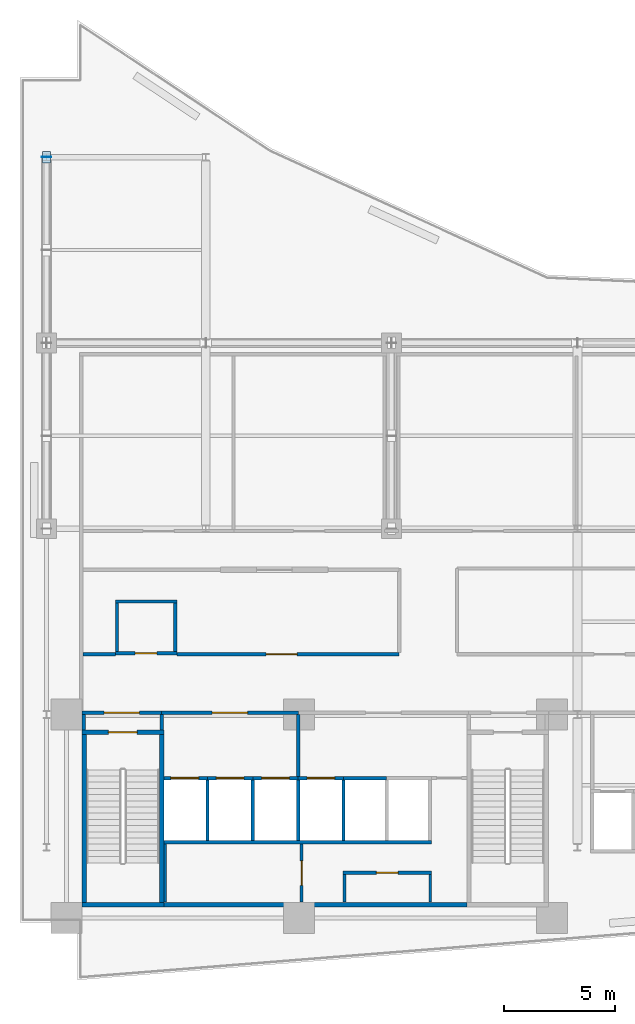
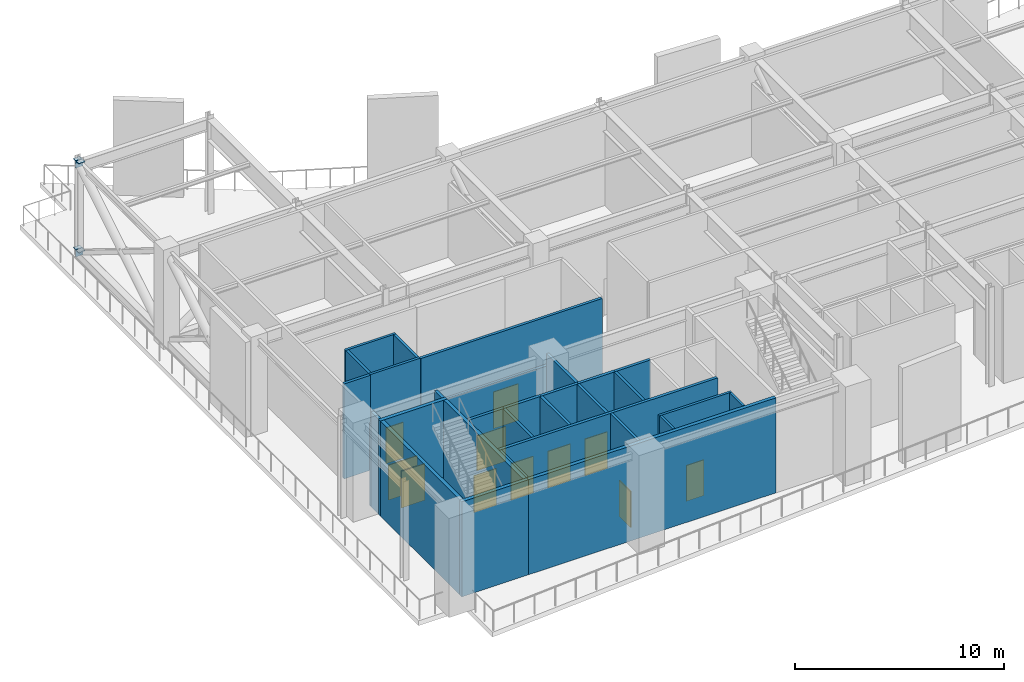
# One storey, part 6 of 14: 31 walls, 11 doors, 4 plates, 11 openings.
"""IFC4 building model written with IfcOpenShell, lengths in metres."""

from ifc_helpers import new_model, si_unit, direction, frame, frame_2d, origin, origin_2d, place, context, subcontext, project, spatial, rectangle, extrude, material, layer, layer_set, type_object, element, fill, save


model = new_model("IFC4")

# Units and contexts
model_context = context("Model", 3, precision=1e-05, world=origin(), true_north=direction((0.0, 1.0)))
body_context = subcontext(model_context, "Body", "Model", "MODEL_VIEW")
ifc_project = project(units=[si_unit("LENGTHUNIT", "METRE"), si_unit("AREAUNIT", "SQUARE_METRE"), si_unit("VOLUMEUNIT", "CUBIC_METRE"), si_unit("PLANEANGLEUNIT", "RADIAN"), si_unit("MASSUNIT", "GRAM", prefix="KILO")], contexts=[model_context])

# Site, building, storey
site_placement = place(None, origin())
site = spatial("IfcSite", under=ifc_project, at=site_placement, CompositionType="ELEMENT")
building_placement = place(site_placement, origin())
building = spatial("IfcBuilding", under=site, at=building_placement, Name="Varnakote Quay Hospital", CompositionType="ELEMENT")
storey_placement = place(building_placement, frame((0.0, 0.0, 97.550048828125)))
storey = spatial("IfcBuildingStorey", under=building, at=storey_placement, Name="L24", CompositionType="ELEMENT", Elevation=97.550048828125)

# Plates
ifc_material_1 = material(Name="Structural steel AS/NZS 3678 Grade 350 (fy 340 MPa)", Category="steel")
ifc_layer_1 = layer(ifc_material_1, 0.02001953125)
ifc_layer_set_1 = layer_set([ifc_layer_1], Name="Structural steel AS/NZS 3678 Grade 350 (fy 340 MPa)")
plate_type_1 = type_object("IfcPlateType", Name="PLT-ENDCAP-420x420x20", PredefinedType="USERDEFINED", material=ifc_layer_set_1)
for number, where, z_axis, x_axis, name in (
    (1, (1.199951171875, 37.199951171875, -0.030029296875), (0.0, 0.0, 1.0), (0.0, 1.0, 0.0), "L24 Hollow Section Sealed End Cap Plate"),
    (2, (1.199951171875, 37.199951171875, 5.169921875), (0.0, 0.0, 1.0), (0.0, 1.0, 0.0), "L24 Hollow Section Sealed End Cap Plate"),
):
    element("IfcPlate", number, at=place(storey_placement, frame(where, z_axis=z_axis, x_axis=x_axis)), inside=storey, type_object=plate_type_1, Name=name, ObjectType="END_CAP_PLATE", PredefinedType="USERDEFINED", context=body_context, shape_type="SweptSolid", body=[
        extrude(rectangle(XDim=0.02001953125, YDim=0.419921875, at=origin_2d()), origin(), (0.0, 0.0, 1.0), 0.419921875),
    ])
ifc_material_2 = material(Name="Structural steel AS/NZS 3678 Grade 350 (fy 340 MPa)", Category="steel")
ifc_layer_2 = layer(ifc_material_2, 0.031982421875)
ifc_layer_set_2 = layer_set([ifc_layer_2], Name="Structural steel AS/NZS 3678 Grade 350 (fy 340 MPa)")
plate_type_2 = type_object("IfcPlateType", Name="PLT-GUSSET-520x360x32", PredefinedType="USERDEFINED", material=ifc_layer_set_2)
for number, where, z_axis, x_axis, name in (
    (3, (1.199951171875, 37.199951171875, 0.34375), (0.0, 0.0, 1.0), (0.0, 1.0, 0.0), "L24 Truss Concentric Node Gusset Plate"),
    (4, (1.199951171875, 37.199951171875, 5.5439453125), (0.0, 0.0, 1.0), (0.0, 1.0, 0.0), "L24 Truss Concentric Node Gusset Plate"),
):
    element("IfcPlate", number, at=place(storey_placement, frame(where, z_axis=z_axis, x_axis=x_axis)), inside=storey, type_object=plate_type_2, Name=name, ObjectType="GUSSET_PLATE", PredefinedType="USERDEFINED", context=body_context, shape_type="SweptSolid", body=[
        extrude(rectangle(XDim=0.52001953125, YDim=0.360107421875, at=origin_2d()), origin(), (0.0, 0.0, 1.0), 0.031982421875),
    ])

# Wall
ifc_material_3 = material(Name="Fire-rated acoustic gypsum stud wall", Category="gypsum")
ifc_layer_3 = layer(ifc_material_3, 0.14990234375)
ifc_layer_set_3 = layer_set([ifc_layer_3], Name="Fire-rated acoustic gypsum stud wall")
wall_type_1 = type_object("IfcWallType", Name="WL-COMP-150", PredefinedType="PARTITIONING", material=ifc_layer_set_3)
wall_1_placement = place(storey_placement, frame((2.85009765625, 14.72998046875, 0.0), z_axis=(0.0, 0.0, 1.0), x_axis=(1.0, 0.0, 0.0)))
element("IfcWall", 5, at=wall_1_placement, inside=storey, type_object=wall_type_1, Name="L24 West Refuge Pocket Wall", PredefinedType="PARTITIONING", context=body_context, shape_type="SweptSolid", body=[
    extrude(rectangle(XDim=1.4580078125, YDim=0.14990234375, at=frame_2d((0.72900390625, 0.0))), origin(), (0.0, 0.0, 1.0), 5.56005859375),
])

# Wall, opening, door
wall_2_placement = place(storey_placement, frame((7.092041015625, 14.72998046875, 0.0), z_axis=(0.0, 0.0, 1.0), x_axis=(1.0, 0.0, 0.0)))
wall_2 = element("IfcWall", 6, at=wall_2_placement, inside=storey, type_object=wall_type_1, Name="L24 West Refuge Corridor Wall", PredefinedType="PARTITIONING", context=body_context, shape_type="SweptSolid", body=[
    extrude(rectangle(XDim=10.0478515625, YDim=0.14990234375, at=frame_2d((5.02392578125, 0.0))), origin(), (0.0, 0.0, 1.0), 5.56005859375),
])
opening_1_placement = place(wall_2_placement, frame((4.0380859375, 0.0, 0.0)))
opening_1 = element("IfcOpeningElement", 7, at=opening_1_placement, cuts=wall_2, Name="Opening D-REF1-L24", PredefinedType="OPENING", context=body_context, shape_type="SweptSolid", body=[
    extrude(rectangle(XDim=1.39990234375, YDim=2.14990234375, at=frame_2d((0.699951171875, 1.074951171875))), frame((0.0, 0.0849609375, 0.0), z_axis=(0.0, -1.0, 0.0), x_axis=(1.0, 0.0, 0.0)), (0.0, 0.0, 1.0), 0.169921875),
])
ifc_material_4 = material(Name="Fire-rated acoustic plant room door")
door_type_1 = type_object("IfcDoorType", Name="DR-PLANT-FD60-1400x2150", OperationType="NOTDEFINED", PredefinedType="DOOR", material=ifc_material_4)
door_1_placement = place(opening_1_placement, origin())
door_1 = element("IfcDoor", 8, at=door_1_placement, inside=storey, type_object=door_type_1, Name="L24 Fire Refuge Holding Area West Door", OperationType="SINGLE_SWING_LEFT", OverallHeight=2.14990234375, OverallWidth=1.39990234375, PredefinedType="DOOR", context=body_context, shape_type="SweptSolid", body=[
    extrude(rectangle(XDim=1.39990234375, YDim=2.14990234375, at=frame_2d((0.699951171875, 1.074951171875))), frame((0.0, 0.02490234375, 0.0), z_axis=(0.0, -1.0, 0.0), x_axis=(1.0, 0.0, 0.0)), (0.0, 0.0, 1.0), 0.050048828125),
])
fill(opening_1, door_1)

# Wall
ifc_material_5 = material(Name="Fire-rated acoustic gypsum stud wall", Category="gypsum")
ifc_layer_4 = layer(ifc_material_5, 0.159912109375)
ifc_layer_set_4 = layer_set([ifc_layer_4], Name="Fire-rated acoustic gypsum stud wall")
wall_type_2 = type_object("IfcWallType", Name="WL-COMP-160", PredefinedType="PARTITIONING", material=ifc_layer_set_4)
wall_3_placement = place(storey_placement, frame((2.8798828125, 11.300048828125, 0.0), z_axis=(0.0, 0.0, 1.0), x_axis=(0.0, 1.0, 0.0)))
element("IfcWall", 9, at=wall_3_placement, inside=storey, type_object=wall_type_2, Name="L24 West Stair Vestibule West Wall", PredefinedType="PARTITIONING", context=body_context, shape_type="SweptSolid", body=[
    extrude(rectangle(XDim=0.699951171875, YDim=0.159912109375, at=frame_2d((0.35009765625, 0.0))), origin(), (0.0, 0.0, 1.0), 5.56005859375),
])

# Wall, opening, door
wall_4_placement = place(storey_placement, frame((2.800048828125, 12.080078125, 0.0), z_axis=(0.0, 0.0, 1.0), x_axis=(1.0, 0.0, 0.0)))
wall_4 = element("IfcWall", 10, at=wall_4_placement, inside=storey, type_object=wall_type_2, Name="L24 West Stair Vestibule Smoke Wall", PredefinedType="PARTITIONING", context=body_context, shape_type="SweptSolid", body=[
    extrude(rectangle(XDim=3.599853515625, YDim=0.159912109375, at=frame_2d((1.7998046875, 0.0))), origin(), (0.0, 0.0, 1.0), 4.8349609375),
])
opening_2_placement = place(wall_4_placement, frame((1.0, 0.0, 0.0)))
opening_2 = element("IfcOpeningElement", 11, at=opening_2_placement, cuts=wall_4, Name="Opening D-ST1L-L24", PredefinedType="OPENING", context=body_context, shape_type="SweptSolid", body=[
    extrude(rectangle(XDim=1.60009765625, YDim=2.050048828125, at=frame_2d((0.800048828125, 1.02490234375))), frame((0.0, 0.08984375, 0.0), z_axis=(0.0, -1.0, 0.0), x_axis=(1.0, 0.0, 0.0)), (0.0, 0.0, 1.0), 0.179931640625),
])
ifc_material_6 = material(Name="Fire-rated double smoke lobby door")
door_type_2 = type_object("IfcDoorType", Name="DR-LOBBY-FD60S-1600x2150", OperationType="NOTDEFINED", PredefinedType="DOOR", material=ifc_material_6)
door_2_placement = place(opening_2_placement, origin())
door_2 = element("IfcDoor", 12, at=door_2_placement, inside=storey, type_object=door_type_2, Name="L24 West Stair Vestibule Smoke Door", OperationType="DOUBLE_DOOR_SINGLE_SWING", OverallHeight=2.050048828125, OverallWidth=1.60009765625, PredefinedType="DOOR", context=body_context, shape_type="SweptSolid", body=[
    extrude(rectangle(XDim=1.60009765625, YDim=2.050048828125, at=frame_2d((0.800048828125, 1.02490234375))), frame((0.0, 0.02490234375, 0.0), z_axis=(0.0, -1.0, 0.0), x_axis=(1.0, 0.0, 0.0)), (0.0, 0.0, 1.0), 0.050048828125),
])
fill(opening_2, door_2)

# Wall
wall_5_placement = place(storey_placement, frame((6.39990234375, 11.300048828125, 0.0), z_axis=(0.0, 0.0, 1.0), x_axis=(0.0, 1.0, 0.0)))
element("IfcWall", 13, at=wall_5_placement, inside=storey, type_object=wall_type_2, Name="L24 Firefighting Lobby West Wall", PredefinedType="PARTITIONING", context=body_context, shape_type="SweptSolid", body=[
    extrude(rectangle(XDim=0.699951171875, YDim=0.159912109375, at=frame_2d((0.35009765625, 0.0))), origin(), (0.0, 0.0, 1.0), 5.56005859375),
])

# Wall, opening, door
wall_6_placement = place(storey_placement, frame((6.39990234375, 12.080078125, 0.0), z_axis=(0.0, 0.0, 1.0), x_axis=(1.0, 0.0, 0.0)))
wall_6 = element("IfcWall", 14, at=wall_6_placement, inside=storey, type_object=wall_type_2, Name="L24 Firefighting Lift Lobby Compartment Wall", PredefinedType="PARTITIONING", context=body_context, shape_type="SweptSolid", body=[
    extrude(rectangle(XDim=6.18017578125, YDim=0.159912109375, at=frame_2d((3.090087890625, 0.0))), origin(), (0.0, 0.0, 1.0), 4.8349609375),
])
opening_3_placement = place(wall_6_placement, frame((2.2900390625, 0.0, 0.0)))
opening_3 = element("IfcOpeningElement", 15, at=opening_3_placement, cuts=wall_6, Name="Opening D-FFL-L24", PredefinedType="OPENING", context=body_context, shape_type="SweptSolid", body=[
    extrude(rectangle(XDim=1.60009765625, YDim=2.050048828125, at=frame_2d((0.800048828125, 1.02490234375))), frame((0.0, 0.08984375, 0.0), z_axis=(0.0, -1.0, 0.0), x_axis=(1.0, 0.0, 0.0)), (0.0, 0.0, 1.0), 0.179931640625),
])
door_3_placement = place(opening_3_placement, origin())
door_3 = element("IfcDoor", 16, at=door_3_placement, inside=storey, type_object=door_type_2, Name="L24 Firefighting Smoke Vestibule Door", OperationType="DOUBLE_DOOR_SINGLE_SWING", OverallHeight=2.050048828125, OverallWidth=1.60009765625, PredefinedType="DOOR", context=body_context, shape_type="SweptSolid", body=[
    extrude(rectangle(XDim=1.60009765625, YDim=2.050048828125, at=frame_2d((0.800048828125, 1.02490234375))), frame((0.0, 0.02490234375, 0.0), z_axis=(0.0, -1.0, 0.0), x_axis=(1.0, 0.0, 0.0)), (0.0, 0.0, 1.0), 0.050048828125),
])
fill(opening_3, door_3)

# Walls
wall_7_placement = place(storey_placement, frame((12.580078125, 9.2099609375, 0.0), z_axis=(0.0, 0.0, 1.0), x_axis=(0.0, 1.0, 0.0)))
element("IfcWall", 17, at=wall_7_placement, inside=storey, type_object=wall_type_2, Name="L24 Firefighting to Service Lobby Wall", PredefinedType="PARTITIONING", context=body_context, shape_type="SweptSolid", body=[
    extrude(rectangle(XDim=2.7900390625, YDim=0.159912109375, at=frame_2d((1.39501953125, 0.0))), origin(), (0.0, 0.0, 1.0), 5.56005859375),
])
ifc_material_7 = material(Name="Concrete N80 (f'c 80 MPa)", Category="concrete")
ifc_layer_5 = layer(ifc_material_7, 0.199951171875)
ifc_layer_set_5 = layer_set([ifc_layer_5], Name="Concrete N80 (f'c 80 MPa)")
wall_type_3 = type_object("IfcWallType", Name="WL-CORE-N80-200", PredefinedType="SHEAR", material=ifc_layer_set_5)
wall_8_placement = place(storey_placement, frame((6.5, 3.39990234375, 0.0), z_axis=(0.0, 0.0, 1.0), x_axis=(1.0, 0.0, 0.0)))
element("IfcWall", 18, at=wall_8_placement, inside=storey, type_object=wall_type_3, Name="L24 Rear Core South Shear Wall", PredefinedType="SHEAR", context=body_context, shape_type="SweptSolid", body=[
    extrude(rectangle(XDim=13.699951171875, YDim=0.199951171875, at=frame_2d((6.85009765625, 0.0))), origin(), (0.0, 0.0, 1.0), 5.56005859375),
])
ifc_material_8 = material(Name="Concrete N50 (f'c 50 MPa)", Category="concrete")
ifc_layer_6 = layer(ifc_material_8, 0.14990234375)
ifc_layer_set_6 = layer_set([ifc_layer_6], Name="Concrete N50 (f'c 50 MPa)")
wall_type_4 = type_object("IfcWallType", Name="WL-SHAFT-N50-150", PredefinedType="SHEAR", material=ifc_layer_set_6)
for number, where, z_axis, x_axis, name in (
    (19, (8.47509765625, 6.300048828125, 0.0), (0.0, 0.0, 1.0), (0.0, 1.0, 0.0), "L24 LF-FF1 Hoistway Divider Wall"),
    (20, (10.52490234375, 6.300048828125, 0.0), (0.0, 0.0, 1.0), (0.0, 1.0, 0.0), "L24 LF-FF2 Hoistway Divider Wall"),
    (21, (12.574951171875, 6.300048828125, 0.0), (0.0, 0.0, 1.0), (0.0, 1.0, 0.0), "L24 LF-SV1 Hoistway Divider Wall"),
    (22, (14.625, 6.300048828125, 0.0), (0.0, 0.0, 1.0), (0.0, 1.0, 0.0), "L24 LF-SV2 Hoistway Divider Wall"),
):
    element("IfcWall", number, at=place(storey_placement, frame(where, z_axis=z_axis, x_axis=x_axis)), inside=storey, type_object=wall_type_4, Name=name, PredefinedType="SHEAR", context=body_context, shape_type="SweptSolid", body=[
        extrude(rectangle(XDim=2.75, YDim=0.14990234375, at=frame_2d((1.375, 0.0))), origin(), (0.0, 0.0, 1.0), 5.56005859375),
    ])
ifc_material_9 = material(Name="Concrete N50 (f'c 50 MPa)", Category="concrete")
ifc_layer_7 = layer(ifc_material_9, 0.159912109375)
ifc_layer_set_7 = layer_set([ifc_layer_7], Name="Concrete N50 (f'c 50 MPa)")
wall_type_5 = type_object("IfcWallType", Name="WL-SHAFT-N50-160", PredefinedType="SHEAR", material=ifc_layer_set_7)
wall_9_placement = place(storey_placement, frame((6.5, 6.219970703125, 0.0), z_axis=(0.0, 0.0, 1.0), x_axis=(1.0, 0.0, 0.0)))
element("IfcWall", 23, at=wall_9_placement, inside=storey, type_object=wall_type_5, Name="L24 REAR Lift Bank Back Shear Wall", PredefinedType="SHEAR", context=body_context, shape_type="SweptSolid", body=[
    extrude(rectangle(XDim=12.110107421875, YDim=0.159912109375, at=frame_2d((6.05517578125, 0.0))), origin(), (0.0, 0.0, 1.0), 5.56005859375),
])

# Wall, opening, door
wall_10_placement = place(storey_placement, frame((6.5, 9.1298828125, 0.0), z_axis=(0.0, 0.0, 1.0), x_axis=(1.0, 0.0, 0.0)))
wall_10 = element("IfcWall", 24, at=wall_10_placement, inside=storey, type_object=wall_type_5, Name="L24 LF-FF1 Hoistway Front Wall", PredefinedType="SHEAR", context=body_context, shape_type="SweptSolid", body=[
    extrude(rectangle(XDim=1.97509765625, YDim=0.159912109375, at=frame_2d((0.987548828125, 0.0))), origin(), (0.0, 0.0, 1.0), 5.56005859375),
])
opening_4_placement = place(wall_10_placement, frame((0.324951171875, 0.0, 0.0)))
opening_4 = element("IfcOpeningElement", 25, at=opening_4_placement, cuts=wall_10, Name="Opening LD-FF1-L24", PredefinedType="OPENING", context=body_context, shape_type="SweptSolid", body=[
    extrude(rectangle(XDim=1.25, YDim=2.14990234375, at=frame_2d((0.625, 1.074951171875))), frame((0.0, 0.08984375, 0.0), z_axis=(0.0, -1.0, 0.0), x_axis=(1.0, 0.0, 0.0)), (0.0, 0.0, 1.0), 0.179931640625),
])
ifc_material_10 = material(Name="Stainless steel lift landing sliding door", Category="steel")
door_type_3 = type_object("IfcDoorType", Name="DR-LIFT-LD-1250x2150", OperationType="NOTDEFINED", PredefinedType="DOOR", material=ifc_material_10)
door_4_placement = place(opening_4_placement, origin())
door_4 = element("IfcDoor", 26, at=door_4_placement, inside=storey, type_object=door_type_3, Name="L24 LF-FF1 Lift Landing Sliding Door", OperationType="SLIDING_TO_LEFT", OverallHeight=2.14990234375, OverallWidth=1.25, PredefinedType="DOOR", context=body_context, shape_type="SweptSolid", body=[
    extrude(rectangle(XDim=1.25, YDim=2.14990234375, at=frame_2d((0.625, 1.074951171875))), frame((0.0, 0.02490234375, 0.0), z_axis=(0.0, -1.0, 0.0), x_axis=(1.0, 0.0, 0.0)), (0.0, 0.0, 1.0), 0.050048828125),
])
fill(opening_4, door_4)

wall_11_placement = place(storey_placement, frame((8.47509765625, 9.1298828125, 0.0), z_axis=(0.0, 0.0, 1.0), x_axis=(1.0, 0.0, 0.0)))
wall_11 = element("IfcWall", 27, at=wall_11_placement, inside=storey, type_object=wall_type_5, Name="L24 LF-FF2 Hoistway Front Wall", PredefinedType="SHEAR", context=body_context, shape_type="SweptSolid", body=[
    extrude(rectangle(XDim=2.0498046875, YDim=0.159912109375, at=frame_2d((1.02490234375, 0.0))), origin(), (0.0, 0.0, 1.0), 5.56005859375),
])
opening_5_placement = place(wall_11_placement, frame((0.39990234375, 0.0, 0.0)))
opening_5 = element("IfcOpeningElement", 28, at=opening_5_placement, cuts=wall_11, Name="Opening LD-FF2-L24", PredefinedType="OPENING", context=body_context, shape_type="SweptSolid", body=[
    extrude(rectangle(XDim=1.25, YDim=2.14990234375, at=frame_2d((0.625, 1.074951171875))), frame((0.0, 0.08984375, 0.0), z_axis=(0.0, -1.0, 0.0), x_axis=(1.0, 0.0, 0.0)), (0.0, 0.0, 1.0), 0.179931640625),
])
door_5_placement = place(opening_5_placement, origin())
door_5 = element("IfcDoor", 29, at=door_5_placement, inside=storey, type_object=door_type_3, Name="L24 LF-FF2 Lift Landing Sliding Door", OperationType="SLIDING_TO_LEFT", OverallHeight=2.14990234375, OverallWidth=1.25, PredefinedType="DOOR", context=body_context, shape_type="SweptSolid", body=[
    extrude(rectangle(XDim=1.25, YDim=2.14990234375, at=frame_2d((0.625, 1.074951171875))), frame((0.0, 0.02490234375, 0.0), z_axis=(0.0, -1.0, 0.0), x_axis=(1.0, 0.0, 0.0)), (0.0, 0.0, 1.0), 0.050048828125),
])
fill(opening_5, door_5)

wall_12_placement = place(storey_placement, frame((10.52490234375, 9.1298828125, 0.0), z_axis=(0.0, 0.0, 1.0), x_axis=(1.0, 0.0, 0.0)))
wall_12 = element("IfcWall", 30, at=wall_12_placement, inside=storey, type_object=wall_type_5, Name="L24 LF-SV1 Hoistway Front Wall", PredefinedType="SHEAR", context=body_context, shape_type="SweptSolid", body=[
    extrude(rectangle(XDim=2.050048828125, YDim=0.159912109375, at=frame_2d((1.02490234375, 0.0))), origin(), (0.0, 0.0, 1.0), 5.56005859375),
])
opening_6_placement = place(wall_12_placement, frame((0.39990234375, 0.0, 0.0)))
opening_6 = element("IfcOpeningElement", 31, at=opening_6_placement, cuts=wall_12, Name="Opening LD-SV1-L24", PredefinedType="OPENING", context=body_context, shape_type="SweptSolid", body=[
    extrude(rectangle(XDim=1.25, YDim=2.14990234375, at=frame_2d((0.625, 1.074951171875))), frame((0.0, 0.08984375, 0.0), z_axis=(0.0, -1.0, 0.0), x_axis=(1.0, 0.0, 0.0)), (0.0, 0.0, 1.0), 0.179931640625),
])
door_6_placement = place(opening_6_placement, origin())
door_6 = element("IfcDoor", 32, at=door_6_placement, inside=storey, type_object=door_type_3, Name="L24 LF-SV1 Lift Landing Sliding Door", OperationType="SLIDING_TO_LEFT", OverallHeight=2.14990234375, OverallWidth=1.25, PredefinedType="DOOR", context=body_context, shape_type="SweptSolid", body=[
    extrude(rectangle(XDim=1.25, YDim=2.14990234375, at=frame_2d((0.625, 1.074951171875))), frame((0.0, 0.02490234375, 0.0), z_axis=(0.0, -1.0, 0.0), x_axis=(1.0, 0.0, 0.0)), (0.0, 0.0, 1.0), 0.050048828125),
])
fill(opening_6, door_6)

wall_13_placement = place(storey_placement, frame((12.574951171875, 9.1298828125, 0.0), z_axis=(0.0, 0.0, 1.0), x_axis=(1.0, 0.0, 0.0)))
wall_13 = element("IfcWall", 33, at=wall_13_placement, inside=storey, type_object=wall_type_5, Name="L24 LF-SV2 Hoistway Front Wall", PredefinedType="SHEAR", context=body_context, shape_type="SweptSolid", body=[
    extrude(rectangle(XDim=2.050048828125, YDim=0.159912109375, at=frame_2d((1.02490234375, 0.0))), origin(), (0.0, 0.0, 1.0), 5.56005859375),
])
opening_7_placement = place(wall_13_placement, frame((0.39990234375, 0.0, 0.0)))
opening_7 = element("IfcOpeningElement", 34, at=opening_7_placement, cuts=wall_13, Name="Opening LD-SV2-L24", PredefinedType="OPENING", context=body_context, shape_type="SweptSolid", body=[
    extrude(rectangle(XDim=1.25, YDim=2.14990234375, at=frame_2d((0.625, 1.074951171875))), frame((0.0, 0.08984375, 0.0), z_axis=(0.0, -1.0, 0.0), x_axis=(1.0, 0.0, 0.0)), (0.0, 0.0, 1.0), 0.179931640625),
])
door_7_placement = place(opening_7_placement, origin())
door_7 = element("IfcDoor", 35, at=door_7_placement, inside=storey, type_object=door_type_3, Name="L24 LF-SV2 Lift Landing Sliding Door", OperationType="SLIDING_TO_LEFT", OverallHeight=2.14990234375, OverallWidth=1.25, PredefinedType="DOOR", context=body_context, shape_type="SweptSolid", body=[
    extrude(rectangle(XDim=1.25, YDim=2.14990234375, at=frame_2d((0.625, 1.074951171875))), frame((0.0, 0.02490234375, 0.0), z_axis=(0.0, -1.0, 0.0), x_axis=(1.0, 0.0, 0.0)), (0.0, 0.0, 1.0), 0.050048828125),
])
fill(opening_7, door_7)

# Walls
wall_14_placement = place(storey_placement, frame((14.625, 9.1298828125, 0.0), z_axis=(0.0, 0.0, 1.0), x_axis=(1.0, 0.0, 0.0)))
element("IfcWall", 36, at=wall_14_placement, inside=storey, type_object=wall_type_5, Name="L24 LF-PH1 Hoistway Front Wall", PredefinedType="SHEAR", context=body_context, shape_type="SweptSolid", body=[
    extrude(rectangle(XDim=1.949951171875, YDim=0.159912109375, at=frame_2d((0.97509765625, 0.0))), origin(), (0.0, 0.0, 1.0), 5.56005859375),
])
ifc_material_11 = material(Name="Concrete N50 (f'c 50 MPa)", Category="concrete")
ifc_layer_8 = layer(ifc_material_11, 0.199951171875)
ifc_layer_set_8 = layer_set([ifc_layer_8], Name="Concrete N50 (f'c 50 MPa)")
wall_type_6 = type_object("IfcWallType", Name="WL-SHAFT-N50-200", PredefinedType="SHEAR", material=ifc_layer_set_8)
wall_15_placement = place(storey_placement, frame((2.800048828125, 3.39990234375, 0.0), z_axis=(0.0, 0.0, 1.0), x_axis=(1.0, 0.0, 0.0)))
element("IfcWall", 37, at=wall_15_placement, inside=storey, type_object=wall_type_6, Name="L24 Stair ST1 South Shaft Wall", PredefinedType="SHEAR", context=body_context, shape_type="SweptSolid", body=[
    extrude(rectangle(XDim=3.699951171875, YDim=0.199951171875, at=frame_2d((1.85009765625, 0.0))), origin(), (0.0, 0.0, 1.0), 5.56005859375),
])
for number, where, z_axis, x_axis, name in (
    (38, (2.89990234375, 3.5, 0.0), (0.0, 0.0, 1.0), (0.0, 1.0, 0.0), "L24 Stair ST1 West Shaft Wall"),
    (39, (6.39990234375, 3.5, 0.0), (0.0, 0.0, 1.0), (0.0, 1.0, 0.0), "L24 Stair ST1 East Shaft Wall"),
):
    element("IfcWall", number, at=place(storey_placement, frame(where, z_axis=z_axis, x_axis=x_axis)), inside=storey, type_object=wall_type_6, Name=name, PredefinedType="SHEAR", context=body_context, shape_type="SweptSolid", body=[
        extrude(rectangle(XDim=7.60009765625, YDim=0.199951171875, at=frame_2d((3.800048828125, 0.0))), origin(), (0.0, 0.0, 1.0), 5.56005859375),
    ])

# Wall, opening, door
wall_16_placement = place(storey_placement, frame((2.800048828125, 11.199951171875, 0.0), z_axis=(0.0, 0.0, 1.0), x_axis=(1.0, 0.0, 0.0)))
wall_16 = element("IfcWall", 40, at=wall_16_placement, inside=storey, type_object=wall_type_6, Name="L24 Stair ST1 Exit Wall", PredefinedType="SHEAR", context=body_context, shape_type="SweptSolid", body=[
    extrude(rectangle(XDim=3.699951171875, YDim=0.199951171875, at=frame_2d((1.85009765625, 0.0))), origin(), (0.0, 0.0, 1.0), 5.56005859375),
])
opening_8_placement = place(wall_16_placement, frame((1.199951171875, 0.0, 0.0)))
opening_8 = element("IfcOpeningElement", 41, at=opening_8_placement, cuts=wall_16, Name="Opening D-ST1-L24", PredefinedType="OPENING", context=body_context, shape_type="SweptSolid", body=[
    extrude(rectangle(XDim=1.300048828125, YDim=2.14990234375, at=frame_2d((0.64990234375, 1.074951171875))), frame((0.0, 0.10986328125, 0.0), z_axis=(0.0, -1.0, 0.0), x_axis=(1.0, 0.0, 0.0)), (0.0, 0.0, 1.0), 0.219970703125),
])
ifc_material_12 = material(Name="Fire-rated ceramic-glazed timber exit door", Category="wood")
door_type_4 = type_object("IfcDoorType", Name="DR-STAIR-FD60S-1300x2150", OperationType="NOTDEFINED", PredefinedType="DOOR", material=ifc_material_12)
door_8_placement = place(opening_8_placement, origin())
door_8 = element("IfcDoor", 42, at=door_8_placement, inside=storey, type_object=door_type_4, Name="L24 Stair ST1 Fire Exit Door", OperationType="SINGLE_SWING_RIGHT", OverallHeight=2.14990234375, OverallWidth=1.300048828125, PredefinedType="DOOR", context=body_context, shape_type="SweptSolid", body=[
    extrude(rectangle(XDim=1.300048828125, YDim=2.14990234375, at=frame_2d((0.64990234375, 1.074951171875))), frame((0.0, 0.02490234375, 0.0), z_axis=(0.0, -1.0, 0.0), x_axis=(1.0, 0.0, 0.0)), (0.0, 0.0, 1.0), 0.050048828125),
])
fill(opening_8, door_8)

# Walls
ifc_material_13 = material(Name="Smoke-proof clinical partition", Category="gypsum")
ifc_layer_9 = layer(ifc_material_13, 0.1201171875)
ifc_layer_set_9 = layer_set([ifc_layer_9], Name="Smoke-proof clinical partition")
wall_type_7 = type_object("IfcWallType", Name="WL-SMOKE-120", PredefinedType="PARTITIONING", material=ifc_layer_set_9)
wall_17_placement = place(storey_placement, frame((6.56005859375, 3.52001953125, 0.0), z_axis=(0.0, 0.0, 1.0), x_axis=(0.0, 1.0, 0.0)))
element("IfcWall", 43, at=wall_17_placement, inside=storey, type_object=wall_type_7, Name="L24 Core West Store West Wall", PredefinedType="PARTITIONING", context=body_context, shape_type="SweptSolid", body=[
    extrude(rectangle(XDim=2.619873046875, YDim=0.1201171875, at=frame_2d((1.31005859375, 0.0))), origin(), (0.0, 0.0, 1.0), 5.56005859375),
])
for number, where, z_axis, x_axis, name in (
    (44, (14.669921875, 3.52001953125, 0.0), (0.0, 0.0, 1.0), (0.0, 1.0, 0.0), "L24 Core WC West Wall"),
    (45, (18.5400390625, 3.52001953125, 0.0), (0.0, 0.0, 1.0), (0.0, 1.0, 0.0), "L24 Core WC East Wall"),
):
    element("IfcWall", number, at=place(storey_placement, frame(where, z_axis=z_axis, x_axis=x_axis)), inside=storey, type_object=wall_type_7, Name=name, PredefinedType="PARTITIONING", context=body_context, shape_type="SweptSolid", body=[
        extrude(rectangle(XDim=1.260009765625, YDim=0.1201171875, at=frame_2d((0.6298828125, 0.0))), origin(), (0.0, 0.0, 1.0), 5.56005859375),
    ])

# Wall, opening, door
ifc_material_14 = material(Name="Fire-rated clinical gypsum partition", Category="gypsum")
ifc_layer_10 = layer(ifc_material_14, 0.139892578125)
ifc_layer_set_10 = layer_set([ifc_layer_10], Name="Fire-rated clinical gypsum partition")
wall_type_8 = type_object("IfcWallType", Name="WL-WARD-140", PredefinedType="PARTITIONING", material=ifc_layer_set_10)
wall_18_placement = place(storey_placement, frame((12.72998046875, 3.52001953125, 0.0), z_axis=(0.0, 0.0, 1.0), x_axis=(0.0, 1.0, 0.0)))
wall_18 = element("IfcWall", 46, at=wall_18_placement, inside=storey, type_object=wall_type_8, Name="L24 Core Clean Equipment Store East Wall", PredefinedType="PARTITIONING", context=body_context, shape_type="SweptSolid", body=[
    extrude(rectangle(XDim=2.619873046875, YDim=0.139892578125, at=frame_2d((1.31005859375, 0.0))), origin(), (0.0, 0.0, 1.0), 5.56005859375),
])
opening_9_placement = place(wall_18_placement, frame((0.760009765625, 0.0, 0.0)))
opening_9 = element("IfcOpeningElement", 47, at=opening_9_placement, cuts=wall_18, Name="Opening D-L24-CR01", PredefinedType="OPENING", context=body_context, shape_type="SweptSolid", body=[
    extrude(rectangle(XDim=1.10009765625, YDim=2.10009765625, at=frame_2d((0.550048828125, 1.050048828125))), frame((0.0, 0.079833984375, 0.0), z_axis=(0.0, -1.0, 0.0), x_axis=(1.0, 0.0, 0.0)), (0.0, 0.0, 1.0), 0.159912109375),
])
ifc_material_15 = material(Name="Acoustic timber clinical consult door", Category="wood")
door_type_5 = type_object("IfcDoorType", Name="DR-CLIN-FD30S-1100x2100", OperationType="NOTDEFINED", PredefinedType="DOOR", material=ifc_material_15)
door_9_placement = place(opening_9_placement, origin())
door_9 = element("IfcDoor", 48, at=door_9_placement, inside=storey, type_object=door_type_5, Name="L24 Core Clean Equipment Store Door", OperationType="SINGLE_SWING_LEFT", OverallHeight=2.10009765625, OverallWidth=1.10009765625, PredefinedType="DOOR", context=body_context, shape_type="SweptSolid", body=[
    extrude(rectangle(XDim=1.10009765625, YDim=2.10009765625, at=frame_2d((0.550048828125, 1.050048828125))), frame((0.0, 0.02490234375, 0.0), z_axis=(0.0, -1.0, 0.0), x_axis=(1.0, 0.0, 0.0)), (0.0, 0.0, 1.0), 0.050048828125),
])
fill(opening_9, door_9)

wall_19_placement = place(storey_placement, frame((14.60009765625, 4.85009765625, 0.0), z_axis=(0.0, 0.0, 1.0), x_axis=(1.0, 0.0, 0.0)))
wall_19 = element("IfcWall", 49, at=wall_19_placement, inside=storey, type_object=wall_type_8, Name="L24 Core Staff Sanitary WC North Wall", PredefinedType="PARTITIONING", context=body_context, shape_type="SweptSolid", body=[
    extrude(rectangle(XDim=4.0, YDim=0.139892578125, at=frame_2d((2.0, 0.0))), origin(), (0.0, 0.0, 1.0), 5.56005859375),
])
opening_10_placement = place(wall_19_placement, frame((1.510009765625, 0.0, 0.0)))
opening_10 = element("IfcOpeningElement", 50, at=opening_10_placement, cuts=wall_19, Name="Opening D-L24-CR02", PredefinedType="OPENING", context=body_context, shape_type="SweptSolid", body=[
    extrude(rectangle(XDim=0.97998046875, YDim=2.10009765625, at=frame_2d((0.489990234375, 1.050048828125))), frame((0.0, 0.079833984375, 0.0), z_axis=(0.0, -1.0, 0.0), x_axis=(1.0, 0.0, 0.0)), (0.0, 0.0, 1.0), 0.159912109375),
])
ifc_material_16 = material(Name="Accessible sanitary compartment door")
door_type_6 = type_object("IfcDoorType", Name="DR-WC-980x2100", OperationType="NOTDEFINED", PredefinedType="DOOR", material=ifc_material_16)
door_10_placement = place(opening_10_placement, origin())
door_10 = element("IfcDoor", 51, at=door_10_placement, inside=storey, type_object=door_type_6, Name="L24 Core Staff Sanitary WC Door", OperationType="SINGLE_SWING_RIGHT", OverallHeight=2.10009765625, OverallWidth=0.97998046875, PredefinedType="DOOR", context=body_context, shape_type="SweptSolid", body=[
    extrude(rectangle(XDim=0.97998046875, YDim=2.10009765625, at=frame_2d((0.489990234375, 1.050048828125))), frame((0.0, 0.02490234375, 0.0), z_axis=(0.0, -1.0, 0.0), x_axis=(1.0, 0.0, 0.0)), (0.0, 0.0, 1.0), 0.050048828125),
])
fill(opening_10, door_10)

wall_20_placement = place(storey_placement, frame((4.31005859375, 14.77001953125, 0.0), z_axis=(0.0, 0.0, 1.0), x_axis=(1.0, 0.0, 0.0)))
wall_20 = element("IfcWall", 52, at=wall_20_placement, inside=storey, type_object=wall_type_8, Name="L24 Floor Unisex Accessible WC S Wall", PredefinedType="PARTITIONING", context=body_context, shape_type="SweptSolid", body=[
    extrude(rectangle(XDim=2.780029296875, YDim=0.139892578125, at=frame_2d((1.39013671875, 0.0))), origin(), (0.0, 0.0, 1.0), 5.56005859375),
])
opening_11_placement = place(wall_20_placement, frame((0.89990234375, 0.0, 0.0)))
opening_11 = element("IfcOpeningElement", 53, at=opening_11_placement, cuts=wall_20, Name="Opening D-L24-EW01", PredefinedType="OPENING", context=body_context, shape_type="SweptSolid", body=[
    extrude(rectangle(XDim=0.97998046875, YDim=2.10009765625, at=frame_2d((0.489990234375, 1.050048828125))), frame((0.0, 0.079833984375, 0.0), z_axis=(0.0, -1.0, 0.0), x_axis=(1.0, 0.0, 0.0)), (0.0, 0.0, 1.0), 0.159912109375),
])
door_11_placement = place(opening_11_placement, origin())
door_11 = element("IfcDoor", 54, at=door_11_placement, inside=storey, type_object=door_type_6, Name="L24 Floor Unisex Accessible WC Door", OperationType="SINGLE_SWING_RIGHT", OverallHeight=2.10009765625, OverallWidth=0.97998046875, PredefinedType="DOOR", context=body_context, shape_type="SweptSolid", body=[
    extrude(rectangle(XDim=0.97998046875, YDim=2.10009765625, at=frame_2d((0.489990234375, 1.050048828125))), frame((0.0, 0.02490234375, 0.0), z_axis=(0.0, -1.0, 0.0), x_axis=(1.0, 0.0, 0.0)), (0.0, 0.0, 1.0), 0.050048828125),
])
fill(opening_11, door_11)

# Walls
wall_21_placement = place(storey_placement, frame((4.31005859375, 17.110107421875, 0.0), z_axis=(0.0, 0.0, 1.0), x_axis=(1.0, 0.0, 0.0)))
element("IfcWall", 55, at=wall_21_placement, inside=storey, type_object=wall_type_8, Name="L24 Floor Unisex Accessible WC N Wall", PredefinedType="PARTITIONING", context=body_context, shape_type="SweptSolid", body=[
    extrude(rectangle(XDim=2.780029296875, YDim=0.139892578125, at=frame_2d((1.39013671875, 0.0))), origin(), (0.0, 0.0, 1.0), 5.56005859375),
])
for number, where, z_axis, x_axis, name in (
    (56, (4.3798828125, 14.840087890625, 0.0), (0.0, 0.0, 1.0), (0.0, 1.0, 0.0), "L24 Floor Unisex Accessible WC W Wall"),
    (57, (7.02001953125, 14.840087890625, 0.0), (0.0, 0.0, 1.0), (0.0, 1.0, 0.0), "L24 Floor Unisex Accessible WC E Wall"),
):
    element("IfcWall", number, at=place(storey_placement, frame(where, z_axis=z_axis, x_axis=x_axis)), inside=storey, type_object=wall_type_8, Name=name, PredefinedType="PARTITIONING", context=body_context, shape_type="SweptSolid", body=[
        extrude(rectangle(XDim=2.199951171875, YDim=0.139892578125, at=frame_2d((1.10009765625, 0.0))), origin(), (0.0, 0.0, 1.0), 5.56005859375),
    ])

save(model, "model.ifc")
